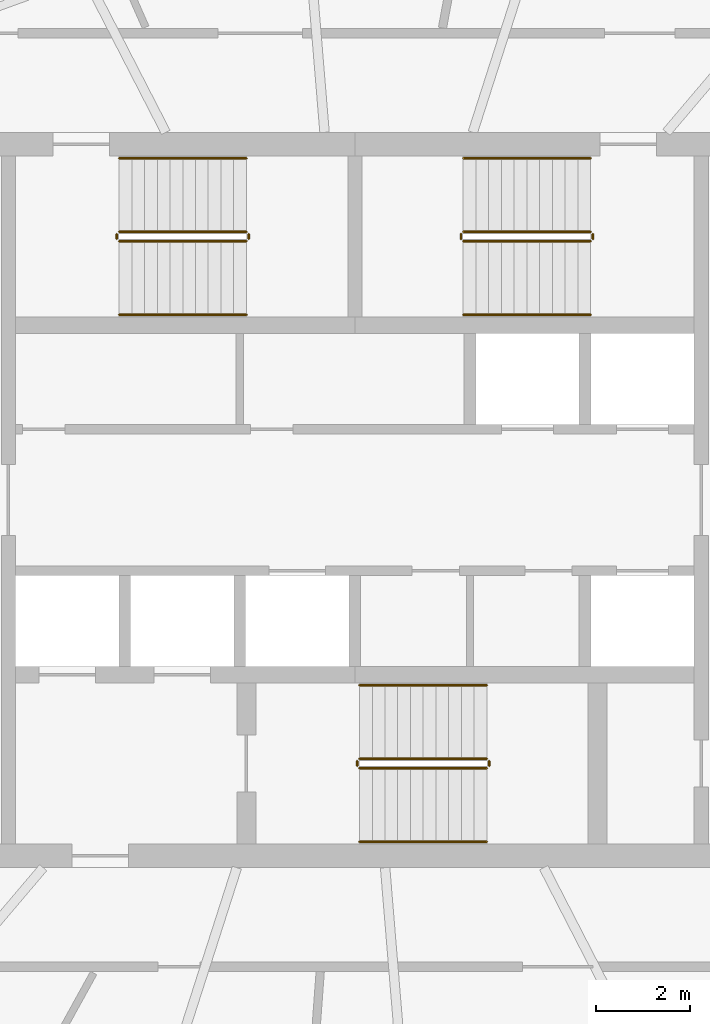
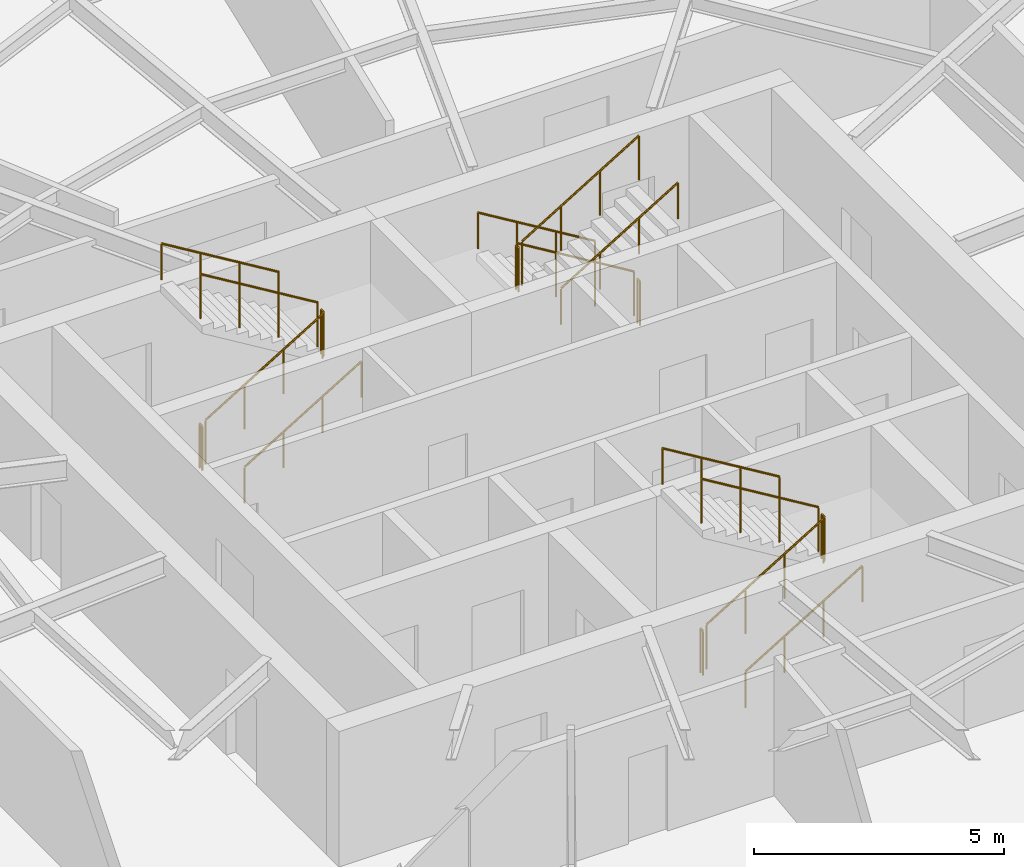
# One storey, part 12 of 13: 18 railings.
"""IFC4 building model written with IfcOpenShell, lengths in metres."""

from ifc_helpers import new_model, si_unit, direction, frame, origin, origin_2d, place, context, subcontext, project, spatial, circle, extrude, material, type_object, element, save


model = new_model("IFC4")

# Units and contexts
model_context = context("Model", 3, precision=1e-05, world=origin(), true_north=direction((0.0, 1.0)))
body_context = subcontext(model_context, "Body", "Model", "MODEL_VIEW")
ifc_project = project(units=[si_unit("LENGTHUNIT", "METRE"), si_unit("AREAUNIT", "SQUARE_METRE"), si_unit("VOLUMEUNIT", "CUBIC_METRE"), si_unit("PLANEANGLEUNIT", "RADIAN"), si_unit("MASSUNIT", "GRAM", prefix="KILO")], contexts=[model_context])

# Site, building, storey
site_placement = place(None, origin())
site = spatial("IfcSite", under=ifc_project, at=site_placement, CompositionType="ELEMENT")
building_placement = place(site_placement, origin())
building = spatial("IfcBuilding", under=site, at=building_placement, Name="Vermilion Reach Broadcast Tower", CompositionType="ELEMENT")
storey_placement = place(building_placement, frame((0.0, 0.0, 300.89990234375)))
storey = spatial("IfcBuildingStorey", under=building, at=storey_placement, Name="L75", CompositionType="ELEMENT", Elevation=300.89990234375)

# Railings
ifc_material_1 = material(Name="Stainless steel", Category="steel")
railing_type_1 = type_object("IfcRailingType", Name="Stair guard 1100", PredefinedType="GUARDRAIL", material=ifc_material_1)
railing_1_placement = place(storey_placement, frame((-11.0, 5.489990234375, 0.163818359375)))
element("IfcRailing", 1, at=railing_1_placement, inside=storey, type_object=railing_type_1, Name="L75 ST1 stair guard 1", PredefinedType="GUARDRAIL", context=body_context, shape_type="SweptSolid", body=[
    extrude(circle(Radius=0.02392578125, at=origin_2d()), frame((0.0, 0.0, 1.076171875), z_axis=(0.855212373127, 0.0, 0.518277721738), x_axis=(0.0, 1.0, 0.0)), (0.0, 0.0, 1.0), 3.156982421875),
    extrude(circle(Radius=0.02099609375, at=origin_2d()), origin(), (0.0, 0.0, 1.0), 1.052001953125),
    extrude(circle(Radius=0.02099609375, at=origin_2d()), frame((0.89990234375, 0.0, 0.54541015625)), (0.0, 0.0, 1.0), 1.052001953125),
    extrude(circle(Radius=0.02099609375, at=origin_2d()), frame((1.800048828125, 0.0, 1.0908203125)), (0.0, 0.0, 1.0), 1.052001953125),
    extrude(circle(Radius=0.02099609375, at=origin_2d()), frame((2.699951171875, 0.0, 1.63623046875)), (0.0, 0.0, 1.0), 1.052001953125),
])
railing_2_placement = place(storey_placement, frame((-8.25, 5.5400390625, 1.800048828125)))
element("IfcRailing", 2, at=railing_2_placement, inside=storey, type_object=railing_type_1, Name="L75 ST1 stair guard 2", PredefinedType="GUARDRAIL", context=body_context, shape_type="SweptSolid", body=[
    extrude(circle(Radius=0.02392578125, at=origin_2d()), frame((0.0, 0.0, 1.076171875), z_axis=(0.0, 1.0, 0.0), x_axis=(-1.0, 0.0, 0.0)), (0.0, 0.0, 1.0), 0.099853515625),
    extrude(circle(Radius=0.02099609375, at=origin_2d()), origin(), (0.0, 0.0, 1.0), 1.052001953125),
    extrude(circle(Radius=0.02099609375, at=origin_2d()), frame((0.0, 0.099853515625, 0.0)), (0.0, 0.0, 1.0), 1.052001953125),
])
railing_3_placement = place(storey_placement, frame((-8.300048828125, 5.68994140625, 1.963623046875)))
element("IfcRailing", 3, at=railing_3_placement, inside=storey, type_object=railing_type_1, Name="L75 ST1 stair guard 3", PredefinedType="GUARDRAIL", context=body_context, shape_type="SweptSolid", body=[
    extrude(circle(Radius=0.02392578125, at=origin_2d()), frame((0.0, 0.0, 1.076171875), z_axis=(-0.855178096276, 0.0, 0.518334277904), x_axis=(0.0, -1.0, 0.0)), (0.0, 0.0, 1.0), 3.1572265625),
    extrude(circle(Radius=0.02099609375, at=origin_2d()), origin(), (0.0, 0.0, 1.0), 1.052001953125),
    extrude(circle(Radius=0.02099609375, at=origin_2d()), frame((-0.89990234375, 0.0, 0.54541015625)), (0.0, 0.0, 1.0), 1.052001953125),
    extrude(circle(Radius=0.02099609375, at=origin_2d()), frame((-1.800048828125, 0.0, 1.091064453125)), (0.0, 0.0, 1.0), 1.052001953125),
    extrude(circle(Radius=0.02099609375, at=origin_2d()), frame((-2.699951171875, 0.0, 1.636474609375)), (0.0, 0.0, 1.0), 1.052001953125),
])
railing_4_placement = place(storey_placement, frame((-11.050048828125, 5.5400390625, 0.0)))
element("IfcRailing", 4, at=railing_4_placement, inside=storey, type_object=railing_type_1, Name="L75 ST1 stair guard 4", PredefinedType="GUARDRAIL", context=body_context, shape_type="SweptSolid", body=[
    extrude(circle(Radius=0.02392578125, at=origin_2d()), frame((0.0, 0.0, 1.076171875), z_axis=(0.0, 1.0, 0.0), x_axis=(-1.0, 0.0, 0.0)), (0.0, 0.0, 1.0), 0.099853515625),
    extrude(circle(Radius=0.02099609375, at=origin_2d()), origin(), (0.0, 0.0, 1.0), 1.052001953125),
    extrude(circle(Radius=0.02099609375, at=origin_2d()), frame((0.0, 0.099853515625, 0.0)), (0.0, 0.0, 1.0), 1.052001953125),
])
railing_5_placement = place(storey_placement, frame((-1.0, 5.68994140625, 0.163818359375)))
element("IfcRailing", 5, at=railing_5_placement, inside=storey, type_object=railing_type_1, Name="L75 ST2 stair guard 1", PredefinedType="GUARDRAIL", context=body_context, shape_type="SweptSolid", body=[
    extrude(circle(Radius=0.02392578125, at=origin_2d()), frame((0.0, 0.0, 1.076171875), z_axis=(-0.855212373127, 0.0, 0.518277721738), x_axis=(0.0, -1.0, 0.0)), (0.0, 0.0, 1.0), 3.156982421875),
    extrude(circle(Radius=0.02099609375, at=origin_2d()), origin(), (0.0, 0.0, 1.0), 1.052001953125),
    extrude(circle(Radius=0.02099609375, at=origin_2d()), frame((-0.89990234375, 0.0, 0.54541015625)), (0.0, 0.0, 1.0), 1.052001953125),
    extrude(circle(Radius=0.02099609375, at=origin_2d()), frame((-1.800048828125, 0.0, 1.0908203125)), (0.0, 0.0, 1.0), 1.052001953125),
    extrude(circle(Radius=0.02099609375, at=origin_2d()), frame((-2.699951171875, 0.0, 1.63623046875)), (0.0, 0.0, 1.0), 1.052001953125),
])
railing_6_placement = place(storey_placement, frame((-3.75, 5.639892578125, 1.800048828125)))
element("IfcRailing", 6, at=railing_6_placement, inside=storey, type_object=railing_type_1, Name="L75 ST2 stair guard 2", PredefinedType="GUARDRAIL", context=body_context, shape_type="SweptSolid", body=[
    extrude(circle(Radius=0.02392578125, at=origin_2d()), frame((0.0, 0.0, 1.076171875), z_axis=(0.0, -1.0, 0.0), x_axis=(1.0, 0.0, 0.0)), (0.0, 0.0, 1.0), 0.099853515625),
    extrude(circle(Radius=0.02099609375, at=origin_2d()), origin(), (0.0, 0.0, 1.0), 1.052001953125),
    extrude(circle(Radius=0.02099609375, at=origin_2d()), frame((0.0, -0.099853515625, 0.0)), (0.0, 0.0, 1.0), 1.052001953125),
])
railing_7_placement = place(storey_placement, frame((-3.699951171875, 5.489990234375, 1.963623046875)))
element("IfcRailing", 7, at=railing_7_placement, inside=storey, type_object=railing_type_1, Name="L75 ST2 stair guard 3", PredefinedType="GUARDRAIL", context=body_context, shape_type="SweptSolid", body=[
    extrude(circle(Radius=0.02392578125, at=origin_2d()), frame((0.0, 0.0, 1.076171875), z_axis=(0.855178096276, 0.0, 0.518334277904), x_axis=(0.0, 1.0, 0.0)), (0.0, 0.0, 1.0), 3.1572265625),
    extrude(circle(Radius=0.02099609375, at=origin_2d()), origin(), (0.0, 0.0, 1.0), 1.052001953125),
    extrude(circle(Radius=0.02099609375, at=origin_2d()), frame((0.89990234375, 0.0, 0.54541015625)), (0.0, 0.0, 1.0), 1.052001953125),
    extrude(circle(Radius=0.02099609375, at=origin_2d()), frame((1.800048828125, 0.0, 1.091064453125)), (0.0, 0.0, 1.0), 1.052001953125),
    extrude(circle(Radius=0.02099609375, at=origin_2d()), frame((2.699951171875, 0.0, 1.636474609375)), (0.0, 0.0, 1.0), 1.052001953125),
])
railing_8_placement = place(storey_placement, frame((-0.949951171875, 5.639892578125, 0.0)))
element("IfcRailing", 8, at=railing_8_placement, inside=storey, type_object=railing_type_1, Name="L75 ST2 stair guard 4", PredefinedType="GUARDRAIL", context=body_context, shape_type="SweptSolid", body=[
    extrude(circle(Radius=0.02392578125, at=origin_2d()), frame((0.0, 0.0, 1.076171875), z_axis=(0.0, -1.0, 0.0), x_axis=(1.0, 0.0, 0.0)), (0.0, 0.0, 1.0), 0.099853515625),
    extrude(circle(Radius=0.02099609375, at=origin_2d()), origin(), (0.0, 0.0, 1.0), 1.052001953125),
    extrude(circle(Radius=0.02099609375, at=origin_2d()), frame((0.0, -0.099853515625, 0.0)), (0.0, 0.0, 1.0), 1.052001953125),
])
railing_9_placement = place(storey_placement, frame((-5.89990234375, -5.68994140625, 0.163818359375)))
element("IfcRailing", 9, at=railing_9_placement, inside=storey, type_object=railing_type_1, Name="L75 ST3 stair guard 1", PredefinedType="GUARDRAIL", context=body_context, shape_type="SweptSolid", body=[
    extrude(circle(Radius=0.02392578125, at=origin_2d()), frame((0.0, 0.0, 1.076171875), z_axis=(0.855212373127, 0.0, 0.518277721738), x_axis=(0.0, 1.0, 0.0)), (0.0, 0.0, 1.0), 3.156982421875),
    extrude(circle(Radius=0.02099609375, at=origin_2d()), origin(), (0.0, 0.0, 1.0), 1.052001953125),
    extrude(circle(Radius=0.02099609375, at=origin_2d()), frame((0.89990234375, 0.0, 0.54541015625)), (0.0, 0.0, 1.0), 1.052001953125),
    extrude(circle(Radius=0.02099609375, at=origin_2d()), frame((1.800048828125, 0.0, 1.0908203125)), (0.0, 0.0, 1.0), 1.052001953125),
    extrude(circle(Radius=0.02099609375, at=origin_2d()), frame((2.699951171875, 0.0, 1.63623046875)), (0.0, 0.0, 1.0), 1.052001953125),
])
railing_10_placement = place(storey_placement, frame((-3.14990234375, -5.639892578125, 1.800048828125)))
element("IfcRailing", 10, at=railing_10_placement, inside=storey, type_object=railing_type_1, Name="L75 ST3 stair guard 2", PredefinedType="GUARDRAIL", context=body_context, shape_type="SweptSolid", body=[
    extrude(circle(Radius=0.02392578125, at=origin_2d()), frame((0.0, 0.0, 1.076171875), z_axis=(0.0, 1.0, 0.0), x_axis=(-1.0, 0.0, 0.0)), (0.0, 0.0, 1.0), 0.099853515625),
    extrude(circle(Radius=0.02099609375, at=origin_2d()), origin(), (0.0, 0.0, 1.0), 1.052001953125),
    extrude(circle(Radius=0.02099609375, at=origin_2d()), frame((0.0, 0.099853515625, 0.0)), (0.0, 0.0, 1.0), 1.052001953125),
])
railing_11_placement = place(storey_placement, frame((-3.199951171875, -5.489990234375, 1.963623046875)))
element("IfcRailing", 11, at=railing_11_placement, inside=storey, type_object=railing_type_1, Name="L75 ST3 stair guard 3", PredefinedType="GUARDRAIL", context=body_context, shape_type="SweptSolid", body=[
    extrude(circle(Radius=0.02392578125, at=origin_2d()), frame((0.0, 0.0, 1.076171875), z_axis=(-0.855178096276, 0.0, 0.518334277904), x_axis=(0.0, -1.0, 0.0)), (0.0, 0.0, 1.0), 3.1572265625),
    extrude(circle(Radius=0.02099609375, at=origin_2d()), origin(), (0.0, 0.0, 1.0), 1.052001953125),
    extrude(circle(Radius=0.02099609375, at=origin_2d()), frame((-0.89990234375, 0.0, 0.54541015625)), (0.0, 0.0, 1.0), 1.052001953125),
    extrude(circle(Radius=0.02099609375, at=origin_2d()), frame((-1.800048828125, 0.0, 1.091064453125)), (0.0, 0.0, 1.0), 1.052001953125),
    extrude(circle(Radius=0.02099609375, at=origin_2d()), frame((-2.699951171875, 0.0, 1.636474609375)), (0.0, 0.0, 1.0), 1.052001953125),
])
railing_12_placement = place(storey_placement, frame((-5.949951171875, -5.639892578125, 0.0)))
element("IfcRailing", 12, at=railing_12_placement, inside=storey, type_object=railing_type_1, Name="L75 ST3 stair guard 4", PredefinedType="GUARDRAIL", context=body_context, shape_type="SweptSolid", body=[
    extrude(circle(Radius=0.02392578125, at=origin_2d()), frame((0.0, 0.0, 1.076171875), z_axis=(0.0, 1.0, 0.0), x_axis=(-1.0, 0.0, 0.0)), (0.0, 0.0, 1.0), 0.099853515625),
    extrude(circle(Radius=0.02099609375, at=origin_2d()), origin(), (0.0, 0.0, 1.0), 1.052001953125),
    extrude(circle(Radius=0.02099609375, at=origin_2d()), frame((0.0, 0.099853515625, 0.0)), (0.0, 0.0, 1.0), 1.052001953125),
])
ifc_material_2 = material(Name="Stainless steel", Category="steel")
railing_type_2 = type_object("IfcRailingType", Name="Stair handrail", PredefinedType="HANDRAIL", material=ifc_material_2)
railing_13_placement = place(storey_placement, frame((-11.0, 3.929931640625, 0.163818359375)))
element("IfcRailing", 13, at=railing_13_placement, inside=storey, type_object=railing_type_2, Name="L75 ST1 stair handrail 1", PredefinedType="HANDRAIL", context=body_context, shape_type="SweptSolid", body=[
    extrude(circle(Radius=0.02392578125, at=origin_2d()), frame((0.0, 0.0, 0.8759765625), z_axis=(0.855212373127, 0.0, 0.518277721738), x_axis=(0.0, 1.0, 0.0)), (0.0, 0.0, 1.0), 3.156982421875),
    extrude(circle(Radius=0.02099609375, at=origin_2d()), origin(), (0.0, 0.0, 1.0), 0.851806640625),
    extrude(circle(Radius=0.02099609375, at=origin_2d()), frame((0.89990234375, 0.0, 0.54541015625)), (0.0, 0.0, 1.0), 0.851806640625),
    extrude(circle(Radius=0.02099609375, at=origin_2d()), frame((1.800048828125, 0.0, 1.0908203125)), (0.0, 0.0, 1.0), 0.851806640625),
    extrude(circle(Radius=0.02099609375, at=origin_2d()), frame((2.699951171875, 0.0, 1.63623046875)), (0.0, 0.0, 1.0), 0.851806640625),
])
railing_14_placement = place(storey_placement, frame((-8.300048828125, 7.25, 1.963623046875)))
element("IfcRailing", 14, at=railing_14_placement, inside=storey, type_object=railing_type_2, Name="L75 ST1 stair handrail 2", PredefinedType="HANDRAIL", context=body_context, shape_type="SweptSolid", body=[
    extrude(circle(Radius=0.02392578125, at=origin_2d()), frame((0.0, 0.0, 0.8759765625), z_axis=(-0.855178096276, 0.0, 0.518334277904), x_axis=(0.0, -1.0, 0.0)), (0.0, 0.0, 1.0), 3.1572265625),
    extrude(circle(Radius=0.02099609375, at=origin_2d()), origin(), (0.0, 0.0, 1.0), 0.851806640625),
    extrude(circle(Radius=0.02099609375, at=origin_2d()), frame((-0.89990234375, 0.0, 0.54541015625)), (0.0, 0.0, 1.0), 0.851806640625),
    extrude(circle(Radius=0.02099609375, at=origin_2d()), frame((-1.800048828125, 0.0, 1.091064453125)), (0.0, 0.0, 1.0), 0.851806640625),
    extrude(circle(Radius=0.02099609375, at=origin_2d()), frame((-2.699951171875, 0.0, 1.636474609375)), (0.0, 0.0, 1.0), 0.851806640625),
])
railing_15_placement = place(storey_placement, frame((-1.0, 7.25, 0.163818359375)))
element("IfcRailing", 15, at=railing_15_placement, inside=storey, type_object=railing_type_2, Name="L75 ST2 stair handrail 1", PredefinedType="HANDRAIL", context=body_context, shape_type="SweptSolid", body=[
    extrude(circle(Radius=0.02392578125, at=origin_2d()), frame((0.0, 0.0, 0.8759765625), z_axis=(-0.855212373127, 0.0, 0.518277721738), x_axis=(0.0, -1.0, 0.0)), (0.0, 0.0, 1.0), 3.156982421875),
    extrude(circle(Radius=0.02099609375, at=origin_2d()), origin(), (0.0, 0.0, 1.0), 0.851806640625),
    extrude(circle(Radius=0.02099609375, at=origin_2d()), frame((-0.89990234375, 0.0, 0.54541015625)), (0.0, 0.0, 1.0), 0.851806640625),
    extrude(circle(Radius=0.02099609375, at=origin_2d()), frame((-1.800048828125, 0.0, 1.0908203125)), (0.0, 0.0, 1.0), 0.851806640625),
    extrude(circle(Radius=0.02099609375, at=origin_2d()), frame((-2.699951171875, 0.0, 1.63623046875)), (0.0, 0.0, 1.0), 0.851806640625),
])
railing_16_placement = place(storey_placement, frame((-3.699951171875, 3.929931640625, 1.963623046875)))
element("IfcRailing", 16, at=railing_16_placement, inside=storey, type_object=railing_type_2, Name="L75 ST2 stair handrail 2", PredefinedType="HANDRAIL", context=body_context, shape_type="SweptSolid", body=[
    extrude(circle(Radius=0.02392578125, at=origin_2d()), frame((0.0, 0.0, 0.8759765625), z_axis=(0.855178096276, 0.0, 0.518334277904), x_axis=(0.0, 1.0, 0.0)), (0.0, 0.0, 1.0), 3.1572265625),
    extrude(circle(Radius=0.02099609375, at=origin_2d()), origin(), (0.0, 0.0, 1.0), 0.851806640625),
    extrude(circle(Radius=0.02099609375, at=origin_2d()), frame((0.89990234375, 0.0, 0.54541015625)), (0.0, 0.0, 1.0), 0.851806640625),
    extrude(circle(Radius=0.02099609375, at=origin_2d()), frame((1.800048828125, 0.0, 1.091064453125)), (0.0, 0.0, 1.0), 0.851806640625),
    extrude(circle(Radius=0.02099609375, at=origin_2d()), frame((2.699951171875, 0.0, 1.636474609375)), (0.0, 0.0, 1.0), 0.851806640625),
])
railing_17_placement = place(storey_placement, frame((-5.89990234375, -7.25, 0.163818359375)))
element("IfcRailing", 17, at=railing_17_placement, inside=storey, type_object=railing_type_2, Name="L75 ST3 stair handrail 1", PredefinedType="HANDRAIL", context=body_context, shape_type="SweptSolid", body=[
    extrude(circle(Radius=0.02392578125, at=origin_2d()), frame((0.0, 0.0, 0.8759765625), z_axis=(0.855212373127, 0.0, 0.518277721738), x_axis=(0.0, 1.0, 0.0)), (0.0, 0.0, 1.0), 3.156982421875),
    extrude(circle(Radius=0.02099609375, at=origin_2d()), origin(), (0.0, 0.0, 1.0), 0.851806640625),
    extrude(circle(Radius=0.02099609375, at=origin_2d()), frame((0.89990234375, 0.0, 0.54541015625)), (0.0, 0.0, 1.0), 0.851806640625),
    extrude(circle(Radius=0.02099609375, at=origin_2d()), frame((1.800048828125, 0.0, 1.0908203125)), (0.0, 0.0, 1.0), 0.851806640625),
    extrude(circle(Radius=0.02099609375, at=origin_2d()), frame((2.699951171875, 0.0, 1.63623046875)), (0.0, 0.0, 1.0), 0.851806640625),
])
railing_18_placement = place(storey_placement, frame((-3.199951171875, -3.929931640625, 1.963623046875)))
element("IfcRailing", 18, at=railing_18_placement, inside=storey, type_object=railing_type_2, Name="L75 ST3 stair handrail 2", PredefinedType="HANDRAIL", context=body_context, shape_type="SweptSolid", body=[
    extrude(circle(Radius=0.02392578125, at=origin_2d()), frame((0.0, 0.0, 0.8759765625), z_axis=(-0.855178096276, 0.0, 0.518334277904), x_axis=(0.0, -1.0, 0.0)), (0.0, 0.0, 1.0), 3.1572265625),
    extrude(circle(Radius=0.02099609375, at=origin_2d()), origin(), (0.0, 0.0, 1.0), 0.851806640625),
    extrude(circle(Radius=0.02099609375, at=origin_2d()), frame((-0.89990234375, 0.0, 0.54541015625)), (0.0, 0.0, 1.0), 0.851806640625),
    extrude(circle(Radius=0.02099609375, at=origin_2d()), frame((-1.800048828125, 0.0, 1.091064453125)), (0.0, 0.0, 1.0), 0.851806640625),
    extrude(circle(Radius=0.02099609375, at=origin_2d()), frame((-2.699951171875, 0.0, 1.636474609375)), (0.0, 0.0, 1.0), 0.851806640625),
])

save(model, "model.ifc")
